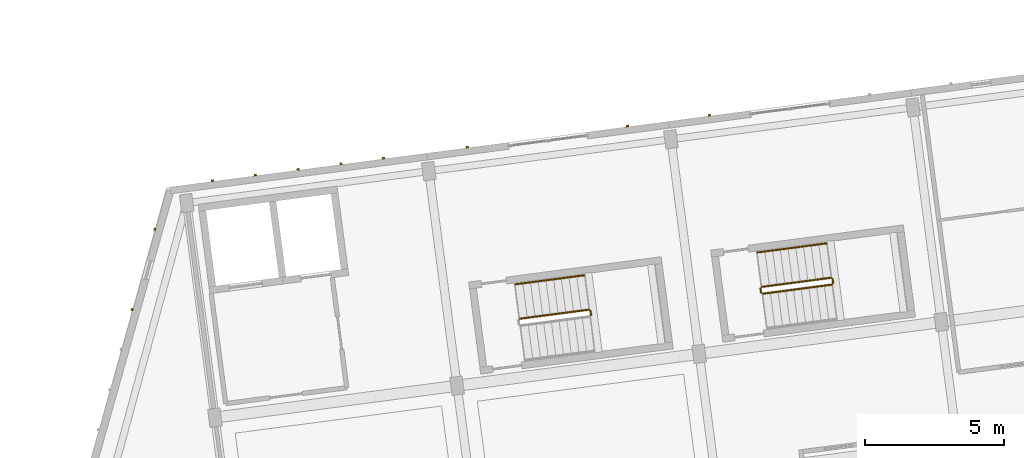
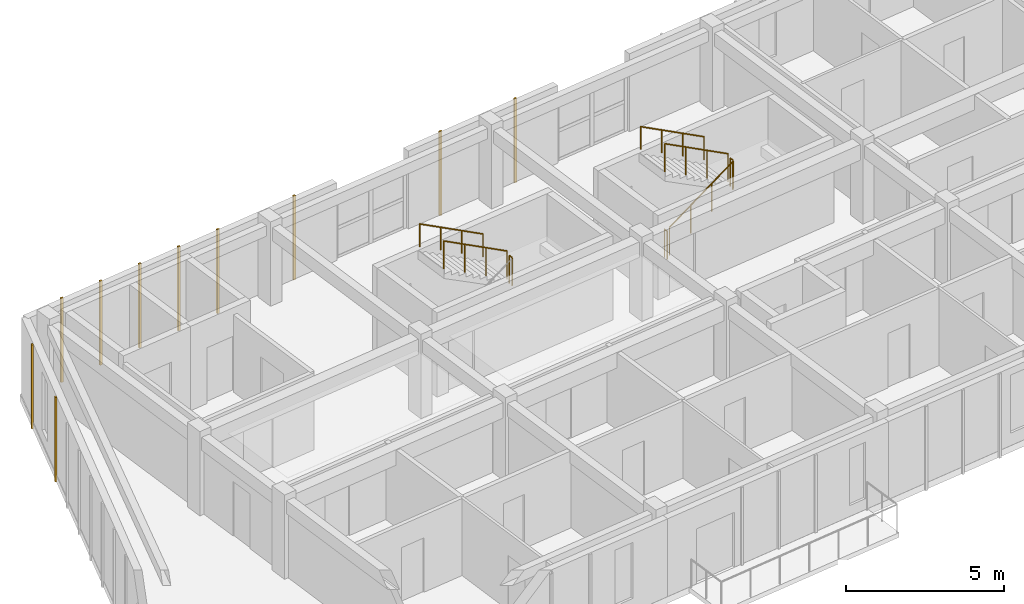
# One storey, part 23 of 31: 10 coverings, 8 railings.
"""IFC4 building model written with IfcOpenShell, lengths in metres."""

from ifc_helpers import new_model, si_unit, direction, frame, origin, origin_2d, place, context, subcontext, project, spatial, rectangle, circle, extrude, material, layer, layer_set, type_object, element, save


model = new_model("IFC4")

# Units and contexts
model_context = context("Model", 3, precision=1e-05, world=origin(), true_north=direction((0.0, 1.0)))
body_context = subcontext(model_context, "Body", "Model", "MODEL_VIEW")
ifc_project = project(units=[si_unit("LENGTHUNIT", "METRE"), si_unit("AREAUNIT", "SQUARE_METRE"), si_unit("VOLUMEUNIT", "CUBIC_METRE"), si_unit("PLANEANGLEUNIT", "RADIAN"), si_unit("MASSUNIT", "GRAM", prefix="KILO")], contexts=[model_context])

# Site, building, storey
site_placement = place(None, origin())
site = spatial("IfcSite", under=ifc_project, at=site_placement, CompositionType="ELEMENT")
building_placement = place(site_placement, origin())
building = spatial("IfcBuilding", under=site, at=building_placement, Name="Kestramere Prow Commons", CompositionType="ELEMENT")
storey_placement = place(building_placement, frame((0.0, 0.0, 37.64990234375)))
storey = spatial("IfcBuildingStorey", under=building, at=storey_placement, Name="L11", CompositionType="ELEMENT", Elevation=37.64990234375)

# Coverings
ifc_material_1 = material(Name="Weathered Zinc-Titanium Standing-Seam Cladding")
ifc_layer = layer(ifc_material_1, 0.074951171875)
ifc_layer_set = layer_set([ifc_layer], Name="Weathered Zinc-Titanium Standing-Seam Cladding")
covering_type = type_object("IfcCoveringType", Name="COV-CLAD-SEAM", PredefinedType="CLADDING", material=ifc_layer_set)
for number, where, z_axis, x_axis, name in (
    (1, (9.521484375, 92.635009765625, -0.25), (0.0, 0.0, 1.0), (0.991444861374, 0.13052619222, 0.0), "EW-A-L11-N-0 Standing-Seam Rib 1"),
    (2, (11.062255859375, 92.837890625, -0.25), (0.0, 0.0, 1.0), (0.991444861374, 0.13052619222, 0.0), "EW-A-L11-N-0 Standing-Seam Rib 2"),
    (3, (12.603271484375, 93.040771484375, -0.25), (0.0, 0.0, 1.0), (0.991444861374, 0.13052619222, 0.0), "EW-A-L11-N-0 Standing-Seam Rib 3"),
    (4, (14.14404296875, 93.243408203125, -0.25), (0.0, 0.0, 1.0), (0.991444861374, 0.13052619222, 0.0), "EW-A-L11-N-0 Standing-Seam Rib 4"),
    (5, (15.684814453125, 93.4462890625, -0.25), (0.0, 0.0, 1.0), (0.991444861374, 0.13052619222, 0.0), "EW-A-L11-N-0 Standing-Seam Rib 5"),
    (6, (18.700439453125, 93.843505859375, -0.25), (0.0, 0.0, 1.0), (0.991444861374, 0.13052619222, 0.0), "EW-A-L11-NP-1-L Standing-Seam Rib 1"),
    (7, (24.4755859375, 94.603759765625, -0.25), (0.0, 0.0, 1.0), (0.991444861374, 0.13052619222, 0.0), "EW-A-L11-NP-1-R Standing-Seam Rib 1"),
    (8, (27.42529296875, 94.991943359375, -0.25), (0.0, 0.0, 1.0), (0.991444861374, 0.13052619222, 0.0), "EW-A-L11-NP-2-L Standing-Seam Rib 1"),
    (9, (6.623291015625, 87.991943359375, -0.25), (0.0, 0.0, 1.0), (0.271159911526, 0.962534312314, 0.0), "EW-A-L11-PRW-N Standing-Seam Rib 10"),
    (10, (7.437255859375, 90.880615234375, -0.25), (0.0, 0.0, 1.0), (0.271159911526, 0.962534312314, 0.0), "EW-A-L11-PRW-N Standing-Seam Rib 12"),
):
    element("IfcCovering", number, at=place(storey_placement, frame(where, z_axis=z_axis, x_axis=x_axis)), inside=storey, type_object=covering_type, Name=name, PredefinedType="CLADDING", context=body_context, shape_type="SweptSolid", body=[
        extrude(rectangle(XDim=0.0849609375, YDim=0.06494140625, at=origin_2d()), origin(), (0.0, 0.0, 1.0), 3.25),
    ])

# Railings
ifc_material_2 = material(Name="Galvanised Steel S275JR", Category="steel")
railing_type_1 = type_object("IfcRailingType", Name="RL-ST-GR-1100", PredefinedType="GUARDRAIL", material=ifc_material_2)
railing_1_placement = place(storey_placement, frame((23.160400390625, 87.79638671875, 1.625)))
element("IfcRailing", 11, at=railing_1_placement, inside=storey, type_object=railing_type_1, Name="L11 ST-A1 stair guard 2", PredefinedType="GUARDRAIL", context=body_context, shape_type="SweptSolid", body=[
    extrude(circle(Radius=0.02392578125, at=origin_2d()), frame((0.0, 0.0, 1.076171875), z_axis=(-0.130243938252, 0.991481979941, 0.0), x_axis=(-0.991481979941, -0.130243938252, 0.0)), (0.0, 0.0, 1.0), 0.14990234375),
    extrude(circle(Radius=0.02099609375, at=origin_2d()), origin(), (0.0, 0.0, 1.0), 1.052001953125),
    extrude(circle(Radius=0.02099609375, at=origin_2d()), frame((-0.01953125, 0.148681640625, 0.0)), (0.0, 0.0, 1.0), 1.052001953125),
])
railing_2_placement = place(storey_placement, frame((23.084716796875, 87.988037109375, 1.78759765625)))
element("IfcRailing", 12, at=railing_2_placement, inside=storey, type_object=railing_type_1, Name="L11 ST-A1 stair guard 3", PredefinedType="GUARDRAIL", context=body_context, shape_type="SweptSolid", body=[
    extrude(circle(Radius=0.02392578125, at=origin_2d()), frame((0.0, 0.0, 1.076171875), z_axis=(-0.857500858922, -0.112875369585, 0.501947634608), x_axis=(0.130507144135, -0.991447368916, 0.0)), (0.0, 0.0, 1.0), 2.91357421875),
    extrude(circle(Radius=0.02099609375, at=origin_2d()), origin(), (0.0, 0.0, 1.0), 1.052001953125),
    extrude(circle(Radius=0.02099609375, at=origin_2d()), frame((-0.832763671875, -0.109619140625, 0.487548828125)), (0.0, 0.0, 1.0), 1.052001953125),
    extrude(circle(Radius=0.02099609375, at=origin_2d()), frame((-1.66552734375, -0.21923828125, 0.974853515625)), (0.0, 0.0, 1.0), 1.052001953125),
    extrude(circle(Radius=0.02099609375, at=origin_2d()), frame((-2.498291015625, -0.328857421875, 1.46240234375)), (0.0, 0.0, 1.0), 1.052001953125),
])
railing_3_placement = place(storey_placement, frame((29.34375, 88.559814453125, 0.16259765625)))
element("IfcRailing", 13, at=railing_3_placement, inside=storey, type_object=railing_type_1, Name="L11 ST-A2 stair guard 1", PredefinedType="GUARDRAIL", context=body_context, shape_type="SweptSolid", body=[
    extrude(circle(Radius=0.02392578125, at=origin_2d()), frame((0.0, 0.0, 1.076171875), z_axis=(0.857492745196, 0.112958098361, 0.501942885148), x_axis=(-0.130602379397, 0.991434828164, 0.0)), (0.0, 0.0, 1.0), 2.91357421875),
    extrude(circle(Radius=0.02099609375, at=origin_2d()), origin(), (0.0, 0.0, 1.0), 1.052001953125),
    extrude(circle(Radius=0.02099609375, at=origin_2d()), frame((0.832763671875, 0.109619140625, 0.487548828125)), (0.0, 0.0, 1.0), 1.052001953125),
    extrude(circle(Radius=0.02099609375, at=origin_2d()), frame((1.66552734375, 0.219482421875, 0.974853515625)), (0.0, 0.0, 1.0), 1.052001953125),
    extrude(circle(Radius=0.02099609375, at=origin_2d()), frame((2.498291015625, 0.3291015625, 1.46240234375)), (0.0, 0.0, 1.0), 1.052001953125),
])
railing_4_placement = place(storey_placement, frame((31.88525390625, 88.94482421875, 1.625)))
element("IfcRailing", 14, at=railing_4_placement, inside=storey, type_object=railing_type_1, Name="L11 ST-A2 stair guard 2", PredefinedType="GUARDRAIL", context=body_context, shape_type="SweptSolid", body=[
    extrude(circle(Radius=0.02392578125, at=origin_2d()), frame((0.0, 0.0, 1.076171875), z_axis=(-0.1300340368, 0.991509530601, 0.0), x_axis=(-0.991509530601, -0.1300340368, 0.0)), (0.0, 0.0, 1.0), 0.150146484375),
    extrude(circle(Radius=0.02099609375, at=origin_2d()), origin(), (0.0, 0.0, 1.0), 1.052001953125),
    extrude(circle(Radius=0.02099609375, at=origin_2d()), frame((-0.01953125, 0.14892578125, 0.0)), (0.0, 0.0, 1.0), 1.052001953125),
])
railing_5_placement = place(storey_placement, frame((31.8095703125, 89.13671875, 1.78759765625)))
element("IfcRailing", 15, at=railing_5_placement, inside=storey, type_object=railing_type_1, Name="L11 ST-A2 stair guard 3", PredefinedType="GUARDRAIL", context=body_context, shape_type="SweptSolid", body=[
    extrude(circle(Radius=0.02392578125, at=origin_2d()), frame((0.0, 0.0, 1.076171875), z_axis=(-0.85752303711, -0.112867259233, 0.501911568525), x_axis=(0.130494608992, -0.991449018873, 0.0)), (0.0, 0.0, 1.0), 2.91357421875),
    extrude(circle(Radius=0.02099609375, at=origin_2d()), origin(), (0.0, 0.0, 1.0), 1.052001953125),
    extrude(circle(Radius=0.02099609375, at=origin_2d()), frame((-0.832763671875, -0.109619140625, 0.487548828125)), (0.0, 0.0, 1.0), 1.052001953125),
    extrude(circle(Radius=0.02099609375, at=origin_2d()), frame((-1.665771484375, -0.21923828125, 0.974853515625)), (0.0, 0.0, 1.0), 1.052001953125),
    extrude(circle(Radius=0.02099609375, at=origin_2d()), frame((-2.49853515625, -0.328857421875, 1.46240234375)), (0.0, 0.0, 1.0), 1.052001953125),
])
railing_6_placement = place(storey_placement, frame((29.28759765625, 88.60302734375, 0.0)))
element("IfcRailing", 16, at=railing_6_placement, inside=storey, type_object=railing_type_1, Name="L11 ST-A2 stair guard 4", PredefinedType="GUARDRAIL", context=body_context, shape_type="SweptSolid", body=[
    extrude(circle(Radius=0.02392578125, at=origin_2d()), frame((0.0, 0.0, 1.076171875), z_axis=(-0.130243938252, 0.991481979941, 0.0), x_axis=(-0.991481979941, -0.130243938252, 0.0)), (0.0, 0.0, 1.0), 0.14990234375),
    extrude(circle(Radius=0.02099609375, at=origin_2d()), origin(), (0.0, 0.0, 1.0), 1.052001953125),
    extrude(circle(Radius=0.02099609375, at=origin_2d()), frame((-0.01953125, 0.148681640625, 0.0)), (0.0, 0.0, 1.0), 1.052001953125),
])
ifc_material_3 = material(Name="Stainless Steel 304", Category="steel")
railing_type_2 = type_object("IfcRailingType", Name="RL-ST-HR-900", PredefinedType="HANDRAIL", material=ifc_material_3)
for number, where, name in (
    (17, (22.921630859375, 89.227294921875, 1.9501953125), "L11 ST-A1 stair handrail 2"),
    (18, (31.646484375, 90.3759765625, 1.9501953125), "L11 ST-A2 stair handrail 2"),
):
    element("IfcRailing", number, at=place(storey_placement, frame(where)), inside=storey, type_object=railing_type_2, Name=name, PredefinedType="HANDRAIL", context=body_context, shape_type="SweptSolid", body=[
        extrude(circle(Radius=0.02392578125, at=origin_2d()), frame((0.0, 0.0, 0.8759765625), z_axis=(-0.85752303711, -0.112867259233, 0.501911568525), x_axis=(0.130494608992, -0.991449018873, 0.0)), (0.0, 0.0, 1.0), 2.91357421875),
        extrude(circle(Radius=0.02099609375, at=origin_2d()), origin(), (0.0, 0.0, 1.0), 0.851806640625),
        extrude(circle(Radius=0.02099609375, at=origin_2d()), frame((-0.832763671875, -0.109619140625, 0.487548828125)), (0.0, 0.0, 1.0), 0.851806640625),
        extrude(circle(Radius=0.02099609375, at=origin_2d()), frame((-1.665771484375, -0.21923828125, 0.974853515625)), (0.0, 0.0, 1.0), 0.851806640625),
        extrude(circle(Radius=0.02099609375, at=origin_2d()), frame((-2.49853515625, -0.328857421875, 1.46240234375)), (0.0, 0.0, 1.0), 0.851806640625),
    ])

save(model, "model.ifc")
